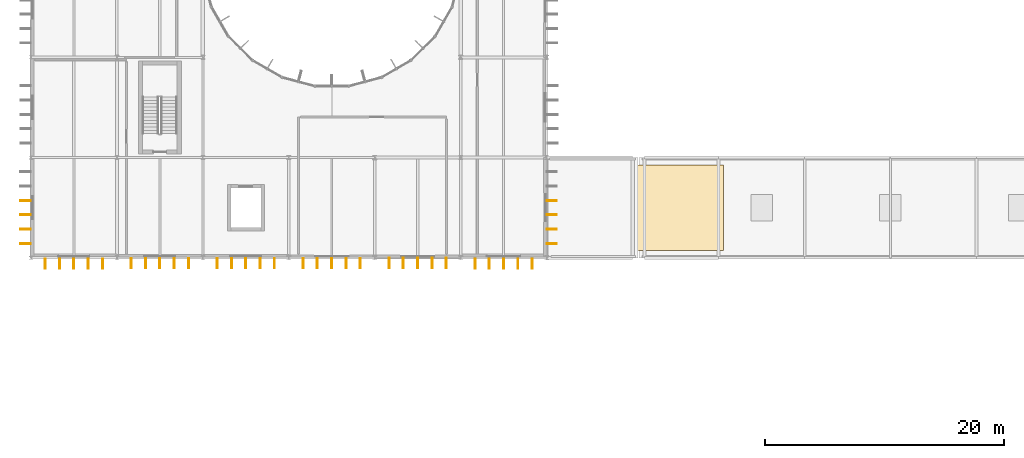
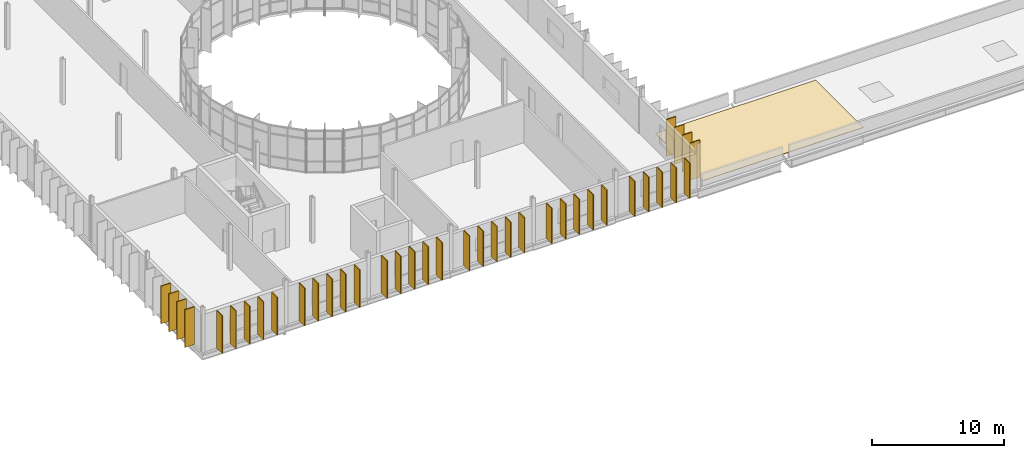
# One storey, part 51 of 61: 38 shading devices, 1 covering.
"""IFC4 building model written with IfcOpenShell, lengths in metres."""

import ifcopenshell
import ifcopenshell.guid

model = None  # the IFC model being written
_history = None  # IfcOwnerHistory: only IFC2X3 demands one
_inside = {}  # id of a spatial element -> (the spatial element, [elements in it])
_under = {}  # id of a project, library or spatial element -> (it, [spatial elements below it])
_declared = {}  # id of a project -> (the project, [libraries it declares])
_typed = {}  # id of a type object -> (the type object, [elements of that type])
_made_of = {}  # id of a material, layer set ... -> (it, [elements and type objects made of it])


def new_model(schema):
    """Start an empty IFC model of exactly this schema.

    Asked for "IFC4X3", IfcOpenShell would pick the latest addendum, in which some entities
    have other attributes; the version numbers below select the first issue.
    IFC2X3 requires an IfcOwnerHistory on every rooted entity: one is made here for all.
    """
    global model, _history
    if schema == "IFC4X3":
        model = ifcopenshell.file(schema_version=(4, 3, 0, 0))
    else:
        model = ifcopenshell.file(schema=schema)
    _inside.clear()
    _under.clear()
    _declared.clear()
    _typed.clear()
    _made_of.clear()
    _history = None
    if model.schema == "IFC2X3":
        org = make("IfcOrganization", Name="unknown")
        user = make(
            "IfcPersonAndOrganization",
            ThePerson=make("IfcPerson", FamilyName="unknown"),
            TheOrganization=org,
        )
        app = make(
            "IfcApplication",
            ApplicationDeveloper=org,
            Version="unknown",
            ApplicationFullName="unknown",
            ApplicationIdentifier="unknown",
        )
        _history = make(
            "IfcOwnerHistory",
            OwningUser=user,
            OwningApplication=app,
            ChangeAction="ADDED",
            CreationDate=0,
        )
    return model


def make(cls, **values):
    """One entity of the class cls with the attributes given. An attribute that is None is left unset."""
    return model.create_entity(
        cls, **{name: value for name, value in values.items() if value is not None}
    )


def rooted(cls, **values):
    """An entity with a GlobalId (a new one), such as an element, a storey or a relation."""
    return make(cls, GlobalId=ifcopenshell.guid.new(), OwnerHistory=_history, **values)


def si_unit(unit_type, name, prefix=None):
    """IfcSIUnit, for example si_unit("LENGTHUNIT", "METRE", prefix="MILLI")."""
    return make("IfcSIUnit", UnitType=unit_type, Prefix=prefix, Name=name)


def assignment(units):
    """IfcUnitAssignment: the units of a project."""
    return None if units is None else make("IfcUnitAssignment", Units=units)


def point(xyz):
    """IfcCartesianPoint."""
    return None if xyz is None else make("IfcCartesianPoint", Coordinates=xyz)


def direction(xyz):
    """IfcDirection."""
    return None if xyz is None else make("IfcDirection", DirectionRatios=xyz)


def frame(location, z_axis=None, x_axis=None):
    """IfcAxis2Placement3D, a coordinate frame: its origin and axes. An axis left out is left unset."""
    return make(
        "IfcAxis2Placement3D",
        Location=point(location),
        Axis=direction(z_axis),
        RefDirection=direction(x_axis),
    )


def frame_2d(location, x_axis=None):
    """IfcAxis2Placement2D, a coordinate frame in the plane: its origin and x axis."""
    return make(
        "IfcAxis2Placement2D", Location=point(location), RefDirection=direction(x_axis)
    )


def origin():
    """The frame at (0, 0, 0) with its axes left unset."""
    return frame((0.0, 0.0, 0.0))


def origin_2d():
    """The frame at (0, 0) in the plane with its x axis left unset."""
    return frame_2d((0.0, 0.0))


def place(relative_to, where):
    """IfcLocalPlacement: puts the frame where relative to a parent placement (None: the world)."""
    return make(
        "IfcLocalPlacement", PlacementRelTo=relative_to, RelativePlacement=where
    )


def context(
    kind, dimensions, precision=None, world=None, true_north=None, identifier=None
):
    """IfcGeometricRepresentationContext, for example the 3D "Model" context."""
    return make(
        "IfcGeometricRepresentationContext",
        ContextIdentifier=identifier,
        ContextType=kind,
        CoordinateSpaceDimension=dimensions,
        Precision=precision,
        WorldCoordinateSystem=world,
        TrueNorth=true_north,
    )


def subcontext(parent, identifier, kind, view, scale=None):
    """IfcGeometricRepresentationSubContext, for example "Body" below "Model"."""
    return make(
        "IfcGeometricRepresentationSubContext",
        ContextIdentifier=identifier,
        ContextType=kind,
        ParentContext=parent,
        TargetScale=scale,
        TargetView=view,
    )


def project(units=None, contexts=None):
    """IfcProject with its units and contexts."""
    return rooted(
        "IfcProject",
        Name="project",
        RepresentationContexts=contexts,
        UnitsInContext=assignment(units),
    )


def spatial(cls, under=None, at=None, **own):
    """A site, building, storey or space (cls), placed at a placement, below another one or the project."""
    s = rooted(cls, ObjectPlacement=at, **own)
    if under is not None:
        _under.setdefault(under.id(), (under, []))[1].append(s)
    return s


def polyline(points):
    """IfcPolyline through the points."""
    return make("IfcPolyline", Points=[point(p) for p in points])


def profile(cls, at=None, kind="AREA", **sizes):
    """A parametric profile (cls). Its sizes go by their IFC names, for example OverallWidth=200.0."""
    return make(cls, ProfileType=kind, Position=at, **sizes)


def rectangle(**sizes):
    """IfcRectangleProfileDef."""
    return profile("IfcRectangleProfileDef", **sizes)


def outline(outer, holes=None, kind="AREA"):
    """IfcArbitraryClosedProfileDef: a profile drawn as a closed curve; with holes, ...WithVoids."""
    if holes is None:
        return make("IfcArbitraryClosedProfileDef", ProfileType=kind, OuterCurve=outer)
    return make(
        "IfcArbitraryProfileDefWithVoids",
        ProfileType=kind,
        OuterCurve=outer,
        InnerCurves=holes,
    )


def extrude(swept, where, along, depth):
    """IfcExtrudedAreaSolid: the profile swept, set in the frame where, extruded along a direction by depth."""
    return make(
        "IfcExtrudedAreaSolid",
        SweptArea=swept,
        Position=where,
        ExtrudedDirection=direction(along),
        Depth=depth,
    )


def shape(context_of_items, identifier, shape_type, items):
    """IfcShapeRepresentation: the items that make up one representation, for example the "Body"."""
    return make(
        "IfcShapeRepresentation",
        ContextOfItems=context_of_items,
        RepresentationIdentifier=identifier,
        RepresentationType=shape_type,
        Items=items,
    )


def material(Name=None, Category=None):
    """IfcMaterial."""
    return make("IfcMaterial", Name=Name, Category=Category)


def layer(
    of_material, thickness, ventilated=None, Name=None, Category=None, Priority=None
):
    """IfcMaterialLayer: one layer of a wall or slab, of a material (None: an air gap)."""
    return make(
        "IfcMaterialLayer",
        Material=of_material,
        LayerThickness=thickness,
        IsVentilated=ventilated,
        Name=Name,
        Category=Category,
        Priority=Priority,
    )


def layer_set(layers, Name=None):
    """IfcMaterialLayerSet."""
    return make("IfcMaterialLayerSet", MaterialLayers=layers, LayerSetName=Name)


def made_of(thing, what):
    """Note that an element or type object is made of a material, layer set ...; save() writes the relation."""
    if what is not None:
        _made_of.setdefault(what.id(), (what, []))[1].append(thing)
    return thing


def type_object(cls, material=None, **own):
    """A type object (cls), such as IfcWallType, which elements share."""
    return made_of(rooted(cls, **own), material)


def element(
    cls,
    number,
    at=None,
    inside=None,
    cuts=None,
    type_object=None,
    material=None,
    context=None,
    identifier="Body",
    shape_type=None,
    held_by="IfcProductDefinitionShape",
    body=None,
    shapes=None,
    **own,
):
    """One element of the class cls, such as IfcWall. Its Tag is "e" and its number.

    at: its placement. inside: the storey or other place that contains it. cuts: it is an
    opening in that element (IfcRelVoidsElement). A single representation is given by context,
    identifier, shape_type and body (its items); several are given by shapes. held_by: the class
    of the entity that holds the representations. save() writes the other relations.
    """
    e = rooted(cls, Tag="e%d" % number, ObjectPlacement=at, **own)
    if body is not None:
        shapes = [shape(context, identifier, shape_type, body)]
    if shapes is not None:
        e.Representation = make(held_by, Representations=shapes)
    if inside is not None:
        _inside.setdefault(inside.id(), (inside, []))[1].append(e)
    if cuts is not None:
        rooted(
            "IfcRelVoidsElement", RelatingBuildingElement=cuts, RelatedOpeningElement=e
        )
    if type_object is not None:
        _typed.setdefault(type_object.id(), (type_object, []))[1].append(e)
    return made_of(e, material)


def aggregate(whole, parts):
    """IfcRelAggregates: a whole, such as a stair, and the parts it consists of."""
    return rooted("IfcRelAggregates", RelatingObject=whole, RelatedObjects=parts)


def save(model, path):
    """Write the relations noted so far, then the file.

    IfcRelAggregates (storeys below a building ...), IfcRelContainedInSpatialStructure (elements
    in a storey), IfcRelDefinesByType, IfcRelAssociatesMaterial and IfcRelDeclares: one each for
    every whole, place, type object, material and project.
    """
    for whole, parts in _under.values():
        aggregate(whole, parts)
    for where, things in _inside.values():
        rooted(
            "IfcRelContainedInSpatialStructure",
            RelatedElements=things,
            RelatingStructure=where,
        )
    for kind, things in _typed.values():
        rooted("IfcRelDefinesByType", RelatedObjects=things, RelatingType=kind)
    for what, things in _made_of.values():
        rooted("IfcRelAssociatesMaterial", RelatedObjects=things, RelatingMaterial=what)
    for by, libraries in _declared.values():
        rooted("IfcRelDeclares", RelatingContext=by, RelatedDefinitions=libraries)
    model.write(path)


model = new_model("IFC4")

# Units and contexts
model_context = context("Model", 3, precision=1e-05, world=origin(), true_north=direction((0.0, 1.0)))
body_context = subcontext(model_context, "Body", "Model", "MODEL_VIEW")
ifc_project = project(units=[si_unit("LENGTHUNIT", "METRE"), si_unit("AREAUNIT", "SQUARE_METRE"), si_unit("VOLUMEUNIT", "CUBIC_METRE"), si_unit("PLANEANGLEUNIT", "RADIAN"), si_unit("MASSUNIT", "GRAM", prefix="KILO")], contexts=[model_context])

# Site, building, storey
site_placement = place(None, origin())
site = spatial("IfcSite", under=ifc_project, at=site_placement, CompositionType="ELEMENT")
building_placement = place(site_placement, origin())
building = spatial("IfcBuilding", under=site, at=building_placement, Name="Qelthora Terrace Specialist Clinic", CompositionType="ELEMENT")
storey_placement = place(building_placement, frame((0.0, 0.0, 13.199951171875)))
storey = spatial("IfcBuildingStorey", under=building, at=storey_placement, Name="L03", CompositionType="ELEMENT", Elevation=13.199951171875)

# Covering
ifc_material_1 = material(Name="Standing-seam titanium-zinc", Category="metals")
ifc_layer = layer(ifc_material_1, 0.0400390625)
ifc_layer_set = layer_set([ifc_layer], Name="Standing-seam titanium-zinc")
covering_type = type_object("IfcCoveringType", Name="COV-ROOF-ZINC", PredefinedType="ROOFING", material=ifc_layer_set)
covering_placement = place(storey_placement, origin())
element("IfcCovering", 1, at=covering_placement, inside=storey, type_object=covering_type, Name="Standing-seam zinc roof covering RCOV-L03-05", PredefinedType="ROOFING", context=body_context, shape_type="SweptSolid", body=[
    extrude(outline(polyline([(44.0, 59.39990234375), (58.0, 59.39990234375), (58.0, 66.60009765625), (44.0, 66.60009765625), (44.0, 59.39990234375)])), origin(), (0.0, 0.0, 1.0), 0.0400390625),
])

# Shading devices
ifc_material_2 = material(Name="Glulam timber GL28h", Category="wood")
shading_device_type = type_object("IfcShadingDeviceType", Name="SHD-FIN-850", PredefinedType="USERDEFINED", material=ifc_material_2)
for number, where, z_axis, x_axis, name in (
    (2, (-0.455078125, 60.0, 0.0), (0.0, 0.0, 1.0), (-1.0, 0.0, 0.0), "Exterior solar shading fin FIN-1632"),
    (3, (-0.455078125, 61.199951171875, 0.0), (0.0, 0.0, 1.0), (-1.0, 0.0, 0.0), "Exterior solar shading fin FIN-1633"),
    (4, (-0.455078125, 62.39990234375, 0.0), (0.0, 0.0, 1.0), (-1.0, 0.0, 0.0), "Exterior solar shading fin FIN-1634"),
    (5, (-0.455078125, 63.60009765625, 0.0), (0.0, 0.0, 1.0), (-1.0, 0.0, 0.0), "Exterior solar shading fin FIN-1635"),
):
    element("IfcShadingDevice", number, at=place(storey_placement, frame(where, z_axis=z_axis, x_axis=x_axis)), inside=storey, type_object=shading_device_type, Name=name, ObjectType="FIN", PredefinedType="USERDEFINED", context=body_context, shape_type="SweptSolid", body=[
        extrude(rectangle(XDim=0.85009765625, YDim=0.080078125, at=origin_2d()), origin(), (0.0, 0.0, 1.0), 3.48193359375),
    ])
for number, where, z_axis, x_axis, name in (
    (6, (43.635009765625, 60.0, 0.0), (0.0, 0.0, 1.0), (1.0, 0.0, 0.0), "Exterior solar shading fin FIN-1696"),
    (7, (43.635009765625, 61.199951171875, 0.0), (0.0, 0.0, 1.0), (1.0, 0.0, 0.0), "Exterior solar shading fin FIN-1697"),
    (8, (43.635009765625, 62.39990234375, 0.0), (0.0, 0.0, 1.0), (1.0, 0.0, 0.0), "Exterior solar shading fin FIN-1698"),
    (9, (43.635009765625, 63.60009765625, 0.0), (0.0, 0.0, 1.0), (1.0, 0.0, 0.0), "Exterior solar shading fin FIN-1699"),
):
    element("IfcShadingDevice", number, at=place(storey_placement, frame(where, z_axis=z_axis, x_axis=x_axis)), inside=storey, type_object=shading_device_type, Name=name, ObjectType="FIN", PredefinedType="USERDEFINED", context=body_context, shape_type="SweptSolid", body=[
        extrude(rectangle(XDim=0.85009765625, YDim=0.080078125, at=origin_2d()), origin(), (0.0, 0.0, 1.0), 3.405029296875),
    ])
for number, where, z_axis, x_axis, name in (
    (10, (1.199951171875, 58.304931640625, 0.0), (0.0, 0.0, 1.0), (0.0, -1.0, 0.0), "Exterior solar shading fin FIN-1730"),
    (11, (2.39990234375, 58.304931640625, 0.0), (0.0, 0.0, 1.0), (0.0, -1.0, 0.0), "Exterior solar shading fin FIN-1731"),
    (12, (3.60009765625, 58.304931640625, 0.0), (0.0, 0.0, 1.0), (0.0, -1.0, 0.0), "Exterior solar shading fin FIN-1732"),
    (13, (4.800048828125, 58.304931640625, 0.0), (0.0, 0.0, 1.0), (0.0, -1.0, 0.0), "Exterior solar shading fin FIN-1733"),
    (14, (6.0, 58.304931640625, 0.0), (0.0, 0.0, 1.0), (0.0, -1.0, 0.0), "Exterior solar shading fin FIN-1734"),
    (15, (8.39990234375, 58.3349609375, 0.0), (0.0, 0.0, 1.0), (0.0, -1.0, 0.0), "Exterior solar shading fin FIN-1735"),
    (16, (9.60009765625, 58.3349609375, 0.0), (0.0, 0.0, 1.0), (0.0, -1.0, 0.0), "Exterior solar shading fin FIN-1736"),
    (17, (10.800048828125, 58.3349609375, 0.0), (0.0, 0.0, 1.0), (0.0, -1.0, 0.0), "Exterior solar shading fin FIN-1737"),
    (18, (12.0, 58.3349609375, 0.0), (0.0, 0.0, 1.0), (0.0, -1.0, 0.0), "Exterior solar shading fin FIN-1738"),
    (19, (13.199951171875, 58.3349609375, 0.0), (0.0, 0.0, 1.0), (0.0, -1.0, 0.0), "Exterior solar shading fin FIN-1739"),
    (20, (15.60009765625, 58.344970703125, 0.0), (0.0, 0.0, 1.0), (0.0, -1.0, 0.0), "Exterior solar shading fin FIN-1740"),
    (21, (16.800048828125, 58.344970703125, 0.0), (0.0, 0.0, 1.0), (0.0, -1.0, 0.0), "Exterior solar shading fin FIN-1741"),
    (22, (18.0, 58.344970703125, 0.0), (0.0, 0.0, 1.0), (0.0, -1.0, 0.0), "Exterior solar shading fin FIN-1742"),
    (23, (19.199951171875, 58.344970703125, 0.0), (0.0, 0.0, 1.0), (0.0, -1.0, 0.0), "Exterior solar shading fin FIN-1743"),
    (24, (20.39990234375, 58.344970703125, 0.0), (0.0, 0.0, 1.0), (0.0, -1.0, 0.0), "Exterior solar shading fin FIN-1744"),
):
    element("IfcShadingDevice", number, at=place(storey_placement, frame(where, z_axis=z_axis, x_axis=x_axis)), inside=storey, type_object=shading_device_type, Name=name, ObjectType="FIN", PredefinedType="USERDEFINED", context=body_context, shape_type="SweptSolid", body=[
        extrude(rectangle(XDim=0.85009765625, YDim=0.080078125, at=origin_2d()), origin(), (0.0, 0.0, 1.0), 3.48193359375),
    ])
for number, where, z_axis, x_axis, name in (
    (25, (22.800048828125, 58.35498046875, 0.0), (0.0, 0.0, 1.0), (0.0, -1.0, 0.0), "Exterior solar shading fin FIN-1745"),
    (26, (24.0, 58.35498046875, 0.0), (0.0, 0.0, 1.0), (0.0, -1.0, 0.0), "Exterior solar shading fin FIN-1746"),
    (27, (25.199951171875, 58.35498046875, 0.0), (0.0, 0.0, 1.0), (0.0, -1.0, 0.0), "Exterior solar shading fin FIN-1747"),
    (28, (26.39990234375, 58.35498046875, 0.0), (0.0, 0.0, 1.0), (0.0, -1.0, 0.0), "Exterior solar shading fin FIN-1748"),
    (29, (27.60009765625, 58.35498046875, 0.0), (0.0, 0.0, 1.0), (0.0, -1.0, 0.0), "Exterior solar shading fin FIN-1749"),
    (30, (30.0, 58.364990234375, 0.0), (0.0, 0.0, 1.0), (0.0, -1.0, 0.0), "Exterior solar shading fin FIN-1750"),
    (31, (31.199951171875, 58.364990234375, 0.0), (0.0, 0.0, 1.0), (0.0, -1.0, 0.0), "Exterior solar shading fin FIN-1751"),
    (32, (32.39990234375, 58.364990234375, 0.0), (0.0, 0.0, 1.0), (0.0, -1.0, 0.0), "Exterior solar shading fin FIN-1752"),
    (33, (33.60009765625, 58.364990234375, 0.0), (0.0, 0.0, 1.0), (0.0, -1.0, 0.0), "Exterior solar shading fin FIN-1753"),
    (34, (34.800048828125, 58.364990234375, 0.0), (0.0, 0.0, 1.0), (0.0, -1.0, 0.0), "Exterior solar shading fin FIN-1754"),
    (35, (37.199951171875, 58.304931640625, 0.0), (0.0, 0.0, 1.0), (0.0, -1.0, 0.0), "Exterior solar shading fin FIN-1755"),
    (36, (38.39990234375, 58.304931640625, 0.0), (0.0, 0.0, 1.0), (0.0, -1.0, 0.0), "Exterior solar shading fin FIN-1756"),
    (37, (39.60009765625, 58.304931640625, 0.0), (0.0, 0.0, 1.0), (0.0, -1.0, 0.0), "Exterior solar shading fin FIN-1757"),
    (38, (40.800048828125, 58.304931640625, 0.0), (0.0, 0.0, 1.0), (0.0, -1.0, 0.0), "Exterior solar shading fin FIN-1758"),
    (39, (42.0, 58.304931640625, 0.0), (0.0, 0.0, 1.0), (0.0, -1.0, 0.0), "Exterior solar shading fin FIN-1759"),
):
    element("IfcShadingDevice", number, at=place(storey_placement, frame(where, z_axis=z_axis, x_axis=x_axis)), inside=storey, type_object=shading_device_type, Name=name, ObjectType="FIN", PredefinedType="USERDEFINED", context=body_context, shape_type="SweptSolid", body=[
        extrude(rectangle(XDim=0.85009765625, YDim=0.080078125, at=origin_2d()), origin(), (0.0, 0.0, 1.0), 3.2490234375),
    ])

save(model, "model.ifc")
